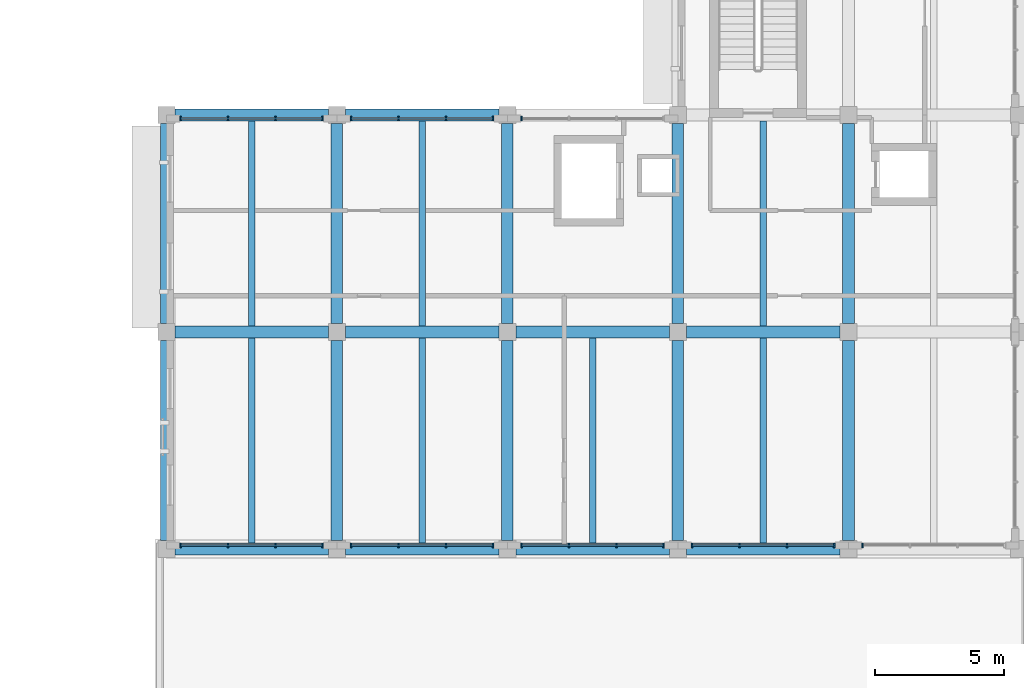
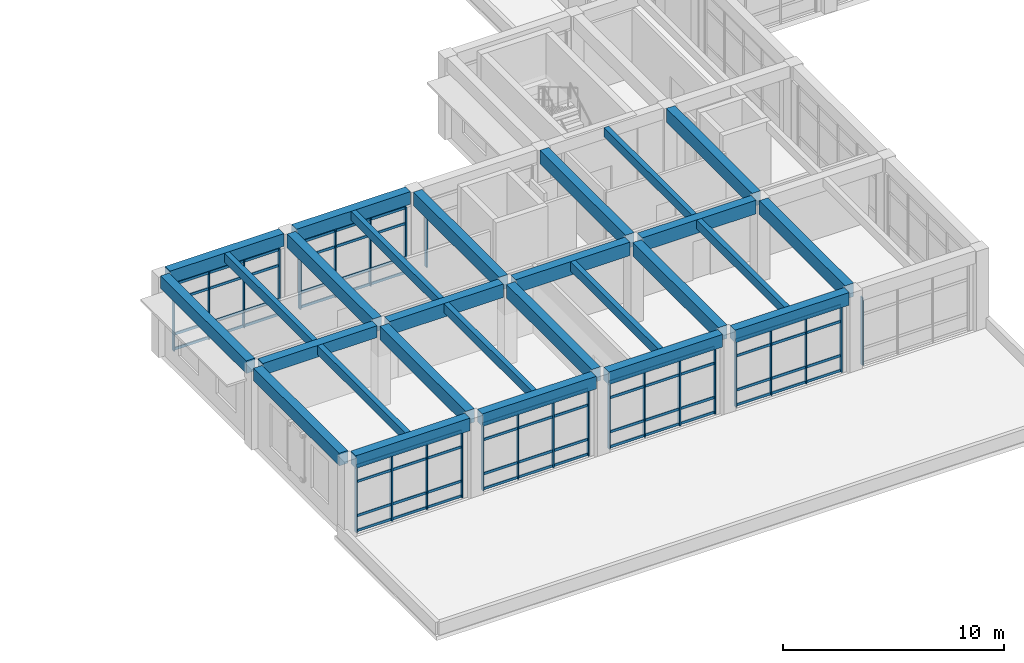
# One storey, part 8 of 50: 50 members, 27 beams, 8 elements without a shape of their own.
"""IFC4 building model written with IfcOpenShell, lengths in metres."""

from ifc_helpers import new_model, si_unit, direction, frame, origin, origin_2d, place, context, subcontext, project, spatial, rectangle, extrude, material, layer, layer_set, material_profile, profile_set, type_object, element, aggregate, save


model = new_model("IFC4")

# Units and contexts
model_context = context("Model", 3, precision=1e-05, world=origin(), true_north=direction((0.0, 1.0)))
body_context = subcontext(model_context, "Body", "Model", "MODEL_VIEW")
ifc_project = project(units=[si_unit("LENGTHUNIT", "METRE"), si_unit("AREAUNIT", "SQUARE_METRE"), si_unit("VOLUMEUNIT", "CUBIC_METRE"), si_unit("PLANEANGLEUNIT", "RADIAN"), si_unit("MASSUNIT", "GRAM", prefix="KILO")], contexts=[model_context])

# Site, building, storey
site_placement = place(None, origin())
site = spatial("IfcSite", under=ifc_project, at=site_placement, CompositionType="ELEMENT")
building_placement = place(site_placement, origin())
building = spatial("IfcBuilding", under=site, at=building_placement, Name="Kolvaren Faculty of Natural Sciences", CompositionType="ELEMENT")
storey_placement = place(building_placement, frame((0.0, 0.0, 15.0)))
storey = spatial("IfcBuildingStorey", under=building, at=storey_placement, Name="L03", CompositionType="ELEMENT", Elevation=15.0)

# Curtain wall, member
ifc_material_1 = material(Name="Thermally broken anodised aluminium framing", Category="aluminium")
ifc_layer = layer(ifc_material_1, 0.179931640625)
ifc_layer_set = layer_set([ifc_layer], Name="Thermally broken anodised aluminium framing")
curtain_wall_type = type_object("IfcCurtainWallType", Name="CommonsCurtainWall_CW02", PredefinedType="NOTDEFINED", material=ifc_layer_set)
curtain_wall_1_placement = place(storey_placement, origin())
curtain_wall_1 = element("IfcCurtainWall", 1, at=curtain_wall_1_placement, inside=storey, type_object=curtain_wall_type, Name="L03 unitised curtain wall CW-02 (CW-L03-156)", PredefinedType="NOTDEFINED")
ifc_material_profile_1 = material_profile(ifc_material_1, rectangle(XDim=0.06005859375, YDim=0.179931640625, at=origin_2d()), Name="ALU MUL 60x180")
ifc_profile_set_1 = profile_set([ifc_material_profile_1], Name="Thermally broken anodised aluminium framing")
member_type_1 = type_object("IfcMemberType", Name="CurtainMullion_60x180", PredefinedType="MULLION", material=ifc_profile_set_1)
member_1_placement = place(storey_placement, frame((132.75, 17.139892578125, 0.0), z_axis=(0.0, 0.0, 1.0), x_axis=(-1.0, 0.0, 0.0)))
member_1 = element("IfcMember", 2, at=member_1_placement, type_object=member_type_1, Name="CW-L03-156 vertical mullion 4", PredefinedType="MULLION", context=body_context, shape_type="SweptSolid", body=[
    extrude(rectangle(XDim=0.06005859375, YDim=0.179931640625, at=origin_2d()), origin(), (0.0, 0.0, 1.0), 3.735107421875),
])
aggregate(curtain_wall_1, [member_1])

# Curtain wall, members
curtain_wall_2_placement = place(storey_placement, origin())
curtain_wall_2 = element("IfcCurtainWall", 3, at=curtain_wall_2_placement, inside=storey, type_object=curtain_wall_type, Name="L03 unitised curtain wall CW-02 (CW-L03-157)", PredefinedType="NOTDEFINED")
member_2_placement = place(storey_placement, frame((131.64990234375, 17.139892578125, 0.0), z_axis=(0.0, 0.0, 1.0), x_axis=(-1.0, 0.0, 0.0)))
member_2 = element("IfcMember", 4, at=member_2_placement, type_object=member_type_1, Name="CW-L03-157 vertical mullion 1", PredefinedType="MULLION", context=body_context, shape_type="SweptSolid", body=[
    extrude(rectangle(XDim=0.06005859375, YDim=0.179931640625, at=origin_2d()), origin(), (0.0, 0.0, 1.0), 3.735107421875),
])
member_3_placement = place(storey_placement, frame((129.816650390625, 17.139892578125, 0.0), z_axis=(0.0, 0.0, 1.0), x_axis=(-1.0, 0.0, 0.0)))
member_3 = element("IfcMember", 5, at=member_3_placement, type_object=member_type_1, Name="CW-L03-157 vertical mullion 2", PredefinedType="MULLION", context=body_context, shape_type="SweptSolid", body=[
    extrude(rectangle(XDim=0.06005859375, YDim=0.179931640625, at=origin_2d()), origin(), (0.0, 0.0, 1.0), 3.735107421875),
])
member_4_placement = place(storey_placement, frame((127.9833984375, 17.139892578125, 0.0), z_axis=(0.0, 0.0, 1.0), x_axis=(-1.0, 0.0, 0.0)))
member_4 = element("IfcMember", 6, at=member_4_placement, type_object=member_type_1, Name="CW-L03-157 vertical mullion 3", PredefinedType="MULLION", context=body_context, shape_type="SweptSolid", body=[
    extrude(rectangle(XDim=0.06005859375, YDim=0.179931640625, at=origin_2d()), origin(), (0.0, 0.0, 1.0), 3.735107421875),
])
member_5_placement = place(storey_placement, frame((126.14990234375, 17.139892578125, 0.0), z_axis=(0.0, 0.0, 1.0), x_axis=(-1.0, 0.0, 0.0)))
member_5 = element("IfcMember", 7, at=member_5_placement, type_object=member_type_1, Name="CW-L03-157 vertical mullion 4", PredefinedType="MULLION", context=body_context, shape_type="SweptSolid", body=[
    extrude(rectangle(XDim=0.06005859375, YDim=0.179931640625, at=origin_2d()), origin(), (0.0, 0.0, 1.0), 3.735107421875),
])

curtain_wall_3_placement = place(storey_placement, origin())
curtain_wall_3 = element("IfcCurtainWall", 8, at=curtain_wall_3_placement, inside=storey, type_object=curtain_wall_type, Name="L03 unitised curtain wall CW-02 (CW-L03-158)", PredefinedType="NOTDEFINED")
member_6_placement = place(storey_placement, frame((125.050048828125, 17.139892578125, 0.0), z_axis=(0.0, 0.0, 1.0), x_axis=(-1.0, 0.0, 0.0)))
member_6 = element("IfcMember", 9, at=member_6_placement, type_object=member_type_1, Name="CW-L03-158 vertical mullion 1", PredefinedType="MULLION", context=body_context, shape_type="SweptSolid", body=[
    extrude(rectangle(XDim=0.06005859375, YDim=0.179931640625, at=origin_2d()), origin(), (0.0, 0.0, 1.0), 3.735107421875),
])
member_7_placement = place(storey_placement, frame((123.216796875, 17.139892578125, 0.0), z_axis=(0.0, 0.0, 1.0), x_axis=(-1.0, 0.0, 0.0)))
member_7 = element("IfcMember", 10, at=member_7_placement, type_object=member_type_1, Name="CW-L03-158 vertical mullion 2", PredefinedType="MULLION", context=body_context, shape_type="SweptSolid", body=[
    extrude(rectangle(XDim=0.06005859375, YDim=0.179931640625, at=origin_2d()), origin(), (0.0, 0.0, 1.0), 3.735107421875),
])
member_8_placement = place(storey_placement, frame((121.38330078125, 17.139892578125, 0.0), z_axis=(0.0, 0.0, 1.0), x_axis=(-1.0, 0.0, 0.0)))
member_8 = element("IfcMember", 11, at=member_8_placement, type_object=member_type_1, Name="CW-L03-158 vertical mullion 3", PredefinedType="MULLION", context=body_context, shape_type="SweptSolid", body=[
    extrude(rectangle(XDim=0.06005859375, YDim=0.179931640625, at=origin_2d()), origin(), (0.0, 0.0, 1.0), 3.735107421875),
])
member_9_placement = place(storey_placement, frame((119.550048828125, 17.139892578125, 0.0), z_axis=(0.0, 0.0, 1.0), x_axis=(-1.0, 0.0, 0.0)))
member_9 = element("IfcMember", 12, at=member_9_placement, type_object=member_type_1, Name="CW-L03-158 vertical mullion 4", PredefinedType="MULLION", context=body_context, shape_type="SweptSolid", body=[
    extrude(rectangle(XDim=0.06005859375, YDim=0.179931640625, at=origin_2d()), origin(), (0.0, 0.0, 1.0), 3.735107421875),
])

curtain_wall_4_placement = place(storey_placement, origin())
curtain_wall_4 = element("IfcCurtainWall", 13, at=curtain_wall_4_placement, inside=storey, type_object=curtain_wall_type, Name="L03 unitised curtain wall CW-02 (CW-L03-159)", PredefinedType="NOTDEFINED")
member_10_placement = place(storey_placement, frame((118.449951171875, 17.139892578125, 0.0), z_axis=(0.0, 0.0, 1.0), x_axis=(-1.0, 0.0, 0.0)))
member_10 = element("IfcMember", 14, at=member_10_placement, type_object=member_type_1, Name="CW-L03-159 vertical mullion 1", PredefinedType="MULLION", context=body_context, shape_type="SweptSolid", body=[
    extrude(rectangle(XDim=0.06005859375, YDim=0.179931640625, at=origin_2d()), origin(), (0.0, 0.0, 1.0), 3.735107421875),
])
member_11_placement = place(storey_placement, frame((116.61669921875, 17.139892578125, 0.0), z_axis=(0.0, 0.0, 1.0), x_axis=(-1.0, 0.0, 0.0)))
member_11 = element("IfcMember", 15, at=member_11_placement, type_object=member_type_1, Name="CW-L03-159 vertical mullion 2", PredefinedType="MULLION", context=body_context, shape_type="SweptSolid", body=[
    extrude(rectangle(XDim=0.06005859375, YDim=0.179931640625, at=origin_2d()), origin(), (0.0, 0.0, 1.0), 3.735107421875),
])
member_12_placement = place(storey_placement, frame((114.783203125, 17.139892578125, 0.0), z_axis=(0.0, 0.0, 1.0), x_axis=(-1.0, 0.0, 0.0)))
member_12 = element("IfcMember", 16, at=member_12_placement, type_object=member_type_1, Name="CW-L03-159 vertical mullion 3", PredefinedType="MULLION", context=body_context, shape_type="SweptSolid", body=[
    extrude(rectangle(XDim=0.06005859375, YDim=0.179931640625, at=origin_2d()), origin(), (0.0, 0.0, 1.0), 3.735107421875),
])
member_13_placement = place(storey_placement, frame((112.949951171875, 17.139892578125, 0.0), z_axis=(0.0, 0.0, 1.0), x_axis=(-1.0, 0.0, 0.0)))
member_13 = element("IfcMember", 17, at=member_13_placement, type_object=member_type_1, Name="CW-L03-159 vertical mullion 4", PredefinedType="MULLION", context=body_context, shape_type="SweptSolid", body=[
    extrude(rectangle(XDim=0.06005859375, YDim=0.179931640625, at=origin_2d()), origin(), (0.0, 0.0, 1.0), 3.735107421875),
])

curtain_wall_5_placement = place(storey_placement, origin())
curtain_wall_5 = element("IfcCurtainWall", 18, at=curtain_wall_5_placement, inside=storey, type_object=curtain_wall_type, Name="L03 unitised curtain wall CW-02 (CW-L03-160)", PredefinedType="NOTDEFINED")
member_14_placement = place(storey_placement, frame((111.85009765625, 17.139892578125, 0.0), z_axis=(0.0, 0.0, 1.0), x_axis=(-1.0, 0.0, 0.0)))
member_14 = element("IfcMember", 19, at=member_14_placement, type_object=member_type_1, Name="CW-L03-160 vertical mullion 1", PredefinedType="MULLION", context=body_context, shape_type="SweptSolid", body=[
    extrude(rectangle(XDim=0.06005859375, YDim=0.179931640625, at=origin_2d()), origin(), (0.0, 0.0, 1.0), 3.735107421875),
])
member_15_placement = place(storey_placement, frame((110.0166015625, 17.139892578125, 0.0), z_axis=(0.0, 0.0, 1.0), x_axis=(-1.0, 0.0, 0.0)))
member_15 = element("IfcMember", 20, at=member_15_placement, type_object=member_type_1, Name="CW-L03-160 vertical mullion 2", PredefinedType="MULLION", context=body_context, shape_type="SweptSolid", body=[
    extrude(rectangle(XDim=0.06005859375, YDim=0.179931640625, at=origin_2d()), origin(), (0.0, 0.0, 1.0), 3.735107421875),
])
member_16_placement = place(storey_placement, frame((108.183349609375, 17.139892578125, 0.0), z_axis=(0.0, 0.0, 1.0), x_axis=(-1.0, 0.0, 0.0)))
member_16 = element("IfcMember", 21, at=member_16_placement, type_object=member_type_1, Name="CW-L03-160 vertical mullion 3", PredefinedType="MULLION", context=body_context, shape_type="SweptSolid", body=[
    extrude(rectangle(XDim=0.06005859375, YDim=0.179931640625, at=origin_2d()), origin(), (0.0, 0.0, 1.0), 3.735107421875),
])
member_17_placement = place(storey_placement, frame((106.35009765625, 17.139892578125, 0.0), z_axis=(0.0, 0.0, 1.0), x_axis=(-1.0, 0.0, 0.0)))
member_17 = element("IfcMember", 22, at=member_17_placement, type_object=member_type_1, Name="CW-L03-160 vertical mullion 4", PredefinedType="MULLION", context=body_context, shape_type="SweptSolid", body=[
    extrude(rectangle(XDim=0.06005859375, YDim=0.179931640625, at=origin_2d()), origin(), (0.0, 0.0, 1.0), 3.735107421875),
])

curtain_wall_6_placement = place(storey_placement, origin())
curtain_wall_6 = element("IfcCurtainWall", 23, at=curtain_wall_6_placement, inside=storey, type_object=curtain_wall_type, Name="L03 unitised curtain wall CW-02 (CW-L03-161)", PredefinedType="NOTDEFINED")
member_18_placement = place(storey_placement, frame((106.35009765625, 33.659912109375, 0.0), z_axis=(0.0, 0.0, 1.0), x_axis=(1.0, 0.0, 0.0)))
member_18 = element("IfcMember", 24, at=member_18_placement, type_object=member_type_1, Name="CW-L03-161 vertical mullion 1", PredefinedType="MULLION", context=body_context, shape_type="SweptSolid", body=[
    extrude(rectangle(XDim=0.06005859375, YDim=0.179931640625, at=origin_2d()), origin(), (0.0, 0.0, 1.0), 3.735107421875),
])
member_19_placement = place(storey_placement, frame((108.183349609375, 33.659912109375, 0.0), z_axis=(0.0, 0.0, 1.0), x_axis=(1.0, 0.0, 0.0)))
member_19 = element("IfcMember", 25, at=member_19_placement, type_object=member_type_1, Name="CW-L03-161 vertical mullion 2", PredefinedType="MULLION", context=body_context, shape_type="SweptSolid", body=[
    extrude(rectangle(XDim=0.06005859375, YDim=0.179931640625, at=origin_2d()), origin(), (0.0, 0.0, 1.0), 3.735107421875),
])
member_20_placement = place(storey_placement, frame((110.0166015625, 33.659912109375, 0.0), z_axis=(0.0, 0.0, 1.0), x_axis=(1.0, 0.0, 0.0)))
member_20 = element("IfcMember", 26, at=member_20_placement, type_object=member_type_1, Name="CW-L03-161 vertical mullion 3", PredefinedType="MULLION", context=body_context, shape_type="SweptSolid", body=[
    extrude(rectangle(XDim=0.06005859375, YDim=0.179931640625, at=origin_2d()), origin(), (0.0, 0.0, 1.0), 3.735107421875),
])
member_21_placement = place(storey_placement, frame((111.85009765625, 33.659912109375, 0.0), z_axis=(0.0, 0.0, 1.0), x_axis=(1.0, 0.0, 0.0)))
member_21 = element("IfcMember", 27, at=member_21_placement, type_object=member_type_1, Name="CW-L03-161 vertical mullion 4", PredefinedType="MULLION", context=body_context, shape_type="SweptSolid", body=[
    extrude(rectangle(XDim=0.06005859375, YDim=0.179931640625, at=origin_2d()), origin(), (0.0, 0.0, 1.0), 3.735107421875),
])

curtain_wall_7_placement = place(storey_placement, origin())
curtain_wall_7 = element("IfcCurtainWall", 28, at=curtain_wall_7_placement, inside=storey, type_object=curtain_wall_type, Name="L03 unitised curtain wall CW-02 (CW-L03-162)", PredefinedType="NOTDEFINED")
member_22_placement = place(storey_placement, frame((112.949951171875, 33.659912109375, 0.0), z_axis=(0.0, 0.0, 1.0), x_axis=(1.0, 0.0, 0.0)))
member_22 = element("IfcMember", 29, at=member_22_placement, type_object=member_type_1, Name="CW-L03-162 vertical mullion 1", PredefinedType="MULLION", context=body_context, shape_type="SweptSolid", body=[
    extrude(rectangle(XDim=0.06005859375, YDim=0.179931640625, at=origin_2d()), origin(), (0.0, 0.0, 1.0), 3.735107421875),
])
member_23_placement = place(storey_placement, frame((114.783203125, 33.659912109375, 0.0), z_axis=(0.0, 0.0, 1.0), x_axis=(1.0, 0.0, 0.0)))
member_23 = element("IfcMember", 30, at=member_23_placement, type_object=member_type_1, Name="CW-L03-162 vertical mullion 2", PredefinedType="MULLION", context=body_context, shape_type="SweptSolid", body=[
    extrude(rectangle(XDim=0.06005859375, YDim=0.179931640625, at=origin_2d()), origin(), (0.0, 0.0, 1.0), 3.735107421875),
])
member_24_placement = place(storey_placement, frame((116.61669921875, 33.659912109375, 0.0), z_axis=(0.0, 0.0, 1.0), x_axis=(1.0, 0.0, 0.0)))
member_24 = element("IfcMember", 31, at=member_24_placement, type_object=member_type_1, Name="CW-L03-162 vertical mullion 3", PredefinedType="MULLION", context=body_context, shape_type="SweptSolid", body=[
    extrude(rectangle(XDim=0.06005859375, YDim=0.179931640625, at=origin_2d()), origin(), (0.0, 0.0, 1.0), 3.735107421875),
])
member_25_placement = place(storey_placement, frame((118.449951171875, 33.659912109375, 0.0), z_axis=(0.0, 0.0, 1.0), x_axis=(1.0, 0.0, 0.0)))
member_25 = element("IfcMember", 32, at=member_25_placement, type_object=member_type_1, Name="CW-L03-162 vertical mullion 4", PredefinedType="MULLION", context=body_context, shape_type="SweptSolid", body=[
    extrude(rectangle(XDim=0.06005859375, YDim=0.179931640625, at=origin_2d()), origin(), (0.0, 0.0, 1.0), 3.735107421875),
])

# Curtain wall, member
curtain_wall_8_placement = place(storey_placement, origin())
curtain_wall_8 = element("IfcCurtainWall", 33, at=curtain_wall_8_placement, inside=storey, type_object=curtain_wall_type, Name="L03 unitised curtain wall CW-02 (CW-L03-163)", PredefinedType="NOTDEFINED")
member_26_placement = place(storey_placement, frame((119.550048828125, 33.659912109375, 0.0), z_axis=(0.0, 0.0, 1.0), x_axis=(1.0, 0.0, 0.0)))
member_26 = element("IfcMember", 34, at=member_26_placement, type_object=member_type_1, Name="CW-L03-163 vertical mullion 1", PredefinedType="MULLION", context=body_context, shape_type="SweptSolid", body=[
    extrude(rectangle(XDim=0.06005859375, YDim=0.179931640625, at=origin_2d()), origin(), (0.0, 0.0, 1.0), 3.735107421875),
])
aggregate(curtain_wall_8, [member_26])

# Member
ifc_material_profile_2 = material_profile(ifc_material_1, rectangle(XDim=0.06005859375, YDim=0.139892578125, at=origin_2d()), Name="ALU TRN 60x140")
ifc_profile_set_2 = profile_set([ifc_material_profile_2], Name="Thermally broken anodised aluminium framing")
member_type_2 = type_object("IfcMemberType", Name="CurtainTransom_60x140", PredefinedType="USERDEFINED", material=ifc_profile_set_2)
member_27_placement = place(storey_placement, frame((131.64990234375, 17.139892578125, 0.080078125), z_axis=(-1.0, 0.0, 0.0), x_axis=(0.0, -1.0, 0.0)))
member_27 = element("IfcMember", 35, at=member_27_placement, type_object=member_type_2, Name="CW-L03-157 horizontal transom 1", ObjectType="TRANSOM", PredefinedType="USERDEFINED", context=body_context, shape_type="SweptSolid", body=[
    extrude(rectangle(XDim=0.06005859375, YDim=0.139892578125, at=origin_2d()), origin(), (0.0, 0.0, 1.0), 5.5),
])

member_28_placement = place(storey_placement, frame((131.64990234375, 17.139892578125, 0.89990234375), z_axis=(-1.0, 0.0, 0.0), x_axis=(0.0, -1.0, 0.0)))
member_28 = element("IfcMember", 36, at=member_28_placement, type_object=member_type_2, Name="CW-L03-157 horizontal transom 2", ObjectType="TRANSOM", PredefinedType="USERDEFINED", context=body_context, shape_type="SweptSolid", body=[
    extrude(rectangle(XDim=0.06005859375, YDim=0.139892578125, at=origin_2d()), origin(), (0.0, 0.0, 1.0), 5.5),
])

member_29_placement = place(storey_placement, frame((131.64990234375, 17.139892578125, 2.784912109375), z_axis=(-1.0, 0.0, 0.0), x_axis=(0.0, -1.0, 0.0)))
member_29 = element("IfcMember", 37, at=member_29_placement, type_object=member_type_2, Name="CW-L03-157 horizontal transom 3", ObjectType="TRANSOM", PredefinedType="USERDEFINED", context=body_context, shape_type="SweptSolid", body=[
    extrude(rectangle(XDim=0.06005859375, YDim=0.139892578125, at=origin_2d()), origin(), (0.0, 0.0, 1.0), 5.5),
])

member_30_placement = place(storey_placement, frame((131.64990234375, 17.139892578125, 3.655029296875), z_axis=(-1.0, 0.0, 0.0), x_axis=(0.0, -1.0, 0.0)))
member_30 = element("IfcMember", 38, at=member_30_placement, type_object=member_type_2, Name="CW-L03-157 horizontal transom 4", ObjectType="TRANSOM", PredefinedType="USERDEFINED", context=body_context, shape_type="SweptSolid", body=[
    extrude(rectangle(XDim=0.06005859375, YDim=0.139892578125, at=origin_2d()), origin(), (0.0, 0.0, 1.0), 5.5),
])

aggregate(curtain_wall_2, [member_2, member_3, member_4, member_5, member_27, member_28, member_29, member_30])

member_31_placement = place(storey_placement, frame((125.050048828125, 17.139892578125, 0.080078125), z_axis=(-1.0, 0.0, 0.0), x_axis=(0.0, -1.0, 0.0)))
member_31 = element("IfcMember", 39, at=member_31_placement, type_object=member_type_2, Name="CW-L03-158 horizontal transom 1", ObjectType="TRANSOM", PredefinedType="USERDEFINED", context=body_context, shape_type="SweptSolid", body=[
    extrude(rectangle(XDim=0.06005859375, YDim=0.139892578125, at=origin_2d()), origin(), (0.0, 0.0, 1.0), 5.5),
])

member_32_placement = place(storey_placement, frame((125.050048828125, 17.139892578125, 0.89990234375), z_axis=(-1.0, 0.0, 0.0), x_axis=(0.0, -1.0, 0.0)))
member_32 = element("IfcMember", 40, at=member_32_placement, type_object=member_type_2, Name="CW-L03-158 horizontal transom 2", ObjectType="TRANSOM", PredefinedType="USERDEFINED", context=body_context, shape_type="SweptSolid", body=[
    extrude(rectangle(XDim=0.06005859375, YDim=0.139892578125, at=origin_2d()), origin(), (0.0, 0.0, 1.0), 5.5),
])

member_33_placement = place(storey_placement, frame((125.050048828125, 17.139892578125, 2.784912109375), z_axis=(-1.0, 0.0, 0.0), x_axis=(0.0, -1.0, 0.0)))
member_33 = element("IfcMember", 41, at=member_33_placement, type_object=member_type_2, Name="CW-L03-158 horizontal transom 3", ObjectType="TRANSOM", PredefinedType="USERDEFINED", context=body_context, shape_type="SweptSolid", body=[
    extrude(rectangle(XDim=0.06005859375, YDim=0.139892578125, at=origin_2d()), origin(), (0.0, 0.0, 1.0), 5.5),
])

member_34_placement = place(storey_placement, frame((125.050048828125, 17.139892578125, 3.655029296875), z_axis=(-1.0, 0.0, 0.0), x_axis=(0.0, -1.0, 0.0)))
member_34 = element("IfcMember", 42, at=member_34_placement, type_object=member_type_2, Name="CW-L03-158 horizontal transom 4", ObjectType="TRANSOM", PredefinedType="USERDEFINED", context=body_context, shape_type="SweptSolid", body=[
    extrude(rectangle(XDim=0.06005859375, YDim=0.139892578125, at=origin_2d()), origin(), (0.0, 0.0, 1.0), 5.5),
])

aggregate(curtain_wall_3, [member_6, member_7, member_8, member_9, member_31, member_32, member_33, member_34])

member_35_placement = place(storey_placement, frame((118.449951171875, 17.139892578125, 0.080078125), z_axis=(-1.0, 0.0, 0.0), x_axis=(0.0, -1.0, 0.0)))
member_35 = element("IfcMember", 43, at=member_35_placement, type_object=member_type_2, Name="CW-L03-159 horizontal transom 1", ObjectType="TRANSOM", PredefinedType="USERDEFINED", context=body_context, shape_type="SweptSolid", body=[
    extrude(rectangle(XDim=0.06005859375, YDim=0.139892578125, at=origin_2d()), origin(), (0.0, 0.0, 1.0), 5.5),
])

member_36_placement = place(storey_placement, frame((118.449951171875, 17.139892578125, 0.89990234375), z_axis=(-1.0, 0.0, 0.0), x_axis=(0.0, -1.0, 0.0)))
member_36 = element("IfcMember", 44, at=member_36_placement, type_object=member_type_2, Name="CW-L03-159 horizontal transom 2", ObjectType="TRANSOM", PredefinedType="USERDEFINED", context=body_context, shape_type="SweptSolid", body=[
    extrude(rectangle(XDim=0.06005859375, YDim=0.139892578125, at=origin_2d()), origin(), (0.0, 0.0, 1.0), 5.5),
])

member_37_placement = place(storey_placement, frame((118.449951171875, 17.139892578125, 2.784912109375), z_axis=(-1.0, 0.0, 0.0), x_axis=(0.0, -1.0, 0.0)))
member_37 = element("IfcMember", 45, at=member_37_placement, type_object=member_type_2, Name="CW-L03-159 horizontal transom 3", ObjectType="TRANSOM", PredefinedType="USERDEFINED", context=body_context, shape_type="SweptSolid", body=[
    extrude(rectangle(XDim=0.06005859375, YDim=0.139892578125, at=origin_2d()), origin(), (0.0, 0.0, 1.0), 5.5),
])

member_38_placement = place(storey_placement, frame((118.449951171875, 17.139892578125, 3.655029296875), z_axis=(-1.0, 0.0, 0.0), x_axis=(0.0, -1.0, 0.0)))
member_38 = element("IfcMember", 46, at=member_38_placement, type_object=member_type_2, Name="CW-L03-159 horizontal transom 4", ObjectType="TRANSOM", PredefinedType="USERDEFINED", context=body_context, shape_type="SweptSolid", body=[
    extrude(rectangle(XDim=0.06005859375, YDim=0.139892578125, at=origin_2d()), origin(), (0.0, 0.0, 1.0), 5.5),
])

aggregate(curtain_wall_4, [member_10, member_11, member_12, member_13, member_35, member_36, member_37, member_38])

member_39_placement = place(storey_placement, frame((111.85009765625, 17.139892578125, 0.080078125), z_axis=(-1.0, 0.0, 0.0), x_axis=(0.0, -1.0, 0.0)))
member_39 = element("IfcMember", 47, at=member_39_placement, type_object=member_type_2, Name="CW-L03-160 horizontal transom 1", ObjectType="TRANSOM", PredefinedType="USERDEFINED", context=body_context, shape_type="SweptSolid", body=[
    extrude(rectangle(XDim=0.06005859375, YDim=0.139892578125, at=origin_2d()), origin(), (0.0, 0.0, 1.0), 5.5),
])

member_40_placement = place(storey_placement, frame((111.85009765625, 17.139892578125, 0.89990234375), z_axis=(-1.0, 0.0, 0.0), x_axis=(0.0, -1.0, 0.0)))
member_40 = element("IfcMember", 48, at=member_40_placement, type_object=member_type_2, Name="CW-L03-160 horizontal transom 2", ObjectType="TRANSOM", PredefinedType="USERDEFINED", context=body_context, shape_type="SweptSolid", body=[
    extrude(rectangle(XDim=0.06005859375, YDim=0.139892578125, at=origin_2d()), origin(), (0.0, 0.0, 1.0), 5.5),
])

member_41_placement = place(storey_placement, frame((111.85009765625, 17.139892578125, 2.784912109375), z_axis=(-1.0, 0.0, 0.0), x_axis=(0.0, -1.0, 0.0)))
member_41 = element("IfcMember", 49, at=member_41_placement, type_object=member_type_2, Name="CW-L03-160 horizontal transom 3", ObjectType="TRANSOM", PredefinedType="USERDEFINED", context=body_context, shape_type="SweptSolid", body=[
    extrude(rectangle(XDim=0.06005859375, YDim=0.139892578125, at=origin_2d()), origin(), (0.0, 0.0, 1.0), 5.5),
])

member_42_placement = place(storey_placement, frame((111.85009765625, 17.139892578125, 3.655029296875), z_axis=(-1.0, 0.0, 0.0), x_axis=(0.0, -1.0, 0.0)))
member_42 = element("IfcMember", 50, at=member_42_placement, type_object=member_type_2, Name="CW-L03-160 horizontal transom 4", ObjectType="TRANSOM", PredefinedType="USERDEFINED", context=body_context, shape_type="SweptSolid", body=[
    extrude(rectangle(XDim=0.06005859375, YDim=0.139892578125, at=origin_2d()), origin(), (0.0, 0.0, 1.0), 5.5),
])

aggregate(curtain_wall_5, [member_14, member_15, member_16, member_17, member_39, member_40, member_41, member_42])

member_43_placement = place(storey_placement, frame((106.35009765625, 33.659912109375, 0.080078125), z_axis=(1.0, 0.0, 0.0), x_axis=(0.0, 1.0, 0.0)))
member_43 = element("IfcMember", 51, at=member_43_placement, type_object=member_type_2, Name="CW-L03-161 horizontal transom 1", ObjectType="TRANSOM", PredefinedType="USERDEFINED", context=body_context, shape_type="SweptSolid", body=[
    extrude(rectangle(XDim=0.06005859375, YDim=0.139892578125, at=origin_2d()), origin(), (0.0, 0.0, 1.0), 5.5),
])

member_44_placement = place(storey_placement, frame((106.35009765625, 33.659912109375, 0.89990234375), z_axis=(1.0, 0.0, 0.0), x_axis=(0.0, 1.0, 0.0)))
member_44 = element("IfcMember", 52, at=member_44_placement, type_object=member_type_2, Name="CW-L03-161 horizontal transom 2", ObjectType="TRANSOM", PredefinedType="USERDEFINED", context=body_context, shape_type="SweptSolid", body=[
    extrude(rectangle(XDim=0.06005859375, YDim=0.139892578125, at=origin_2d()), origin(), (0.0, 0.0, 1.0), 5.5),
])

member_45_placement = place(storey_placement, frame((106.35009765625, 33.659912109375, 2.784912109375), z_axis=(1.0, 0.0, 0.0), x_axis=(0.0, 1.0, 0.0)))
member_45 = element("IfcMember", 53, at=member_45_placement, type_object=member_type_2, Name="CW-L03-161 horizontal transom 3", ObjectType="TRANSOM", PredefinedType="USERDEFINED", context=body_context, shape_type="SweptSolid", body=[
    extrude(rectangle(XDim=0.06005859375, YDim=0.139892578125, at=origin_2d()), origin(), (0.0, 0.0, 1.0), 5.5),
])

member_46_placement = place(storey_placement, frame((106.35009765625, 33.659912109375, 3.655029296875), z_axis=(1.0, 0.0, 0.0), x_axis=(0.0, 1.0, 0.0)))
member_46 = element("IfcMember", 54, at=member_46_placement, type_object=member_type_2, Name="CW-L03-161 horizontal transom 4", ObjectType="TRANSOM", PredefinedType="USERDEFINED", context=body_context, shape_type="SweptSolid", body=[
    extrude(rectangle(XDim=0.06005859375, YDim=0.139892578125, at=origin_2d()), origin(), (0.0, 0.0, 1.0), 5.5),
])

aggregate(curtain_wall_6, [member_18, member_19, member_20, member_21, member_43, member_44, member_45, member_46])

member_47_placement = place(storey_placement, frame((112.949951171875, 33.659912109375, 0.080078125), z_axis=(1.0, 0.0, 0.0), x_axis=(0.0, 1.0, 0.0)))
member_47 = element("IfcMember", 55, at=member_47_placement, type_object=member_type_2, Name="CW-L03-162 horizontal transom 1", ObjectType="TRANSOM", PredefinedType="USERDEFINED", context=body_context, shape_type="SweptSolid", body=[
    extrude(rectangle(XDim=0.06005859375, YDim=0.139892578125, at=origin_2d()), origin(), (0.0, 0.0, 1.0), 5.5),
])

member_48_placement = place(storey_placement, frame((112.949951171875, 33.659912109375, 0.89990234375), z_axis=(1.0, 0.0, 0.0), x_axis=(0.0, 1.0, 0.0)))
member_48 = element("IfcMember", 56, at=member_48_placement, type_object=member_type_2, Name="CW-L03-162 horizontal transom 2", ObjectType="TRANSOM", PredefinedType="USERDEFINED", context=body_context, shape_type="SweptSolid", body=[
    extrude(rectangle(XDim=0.06005859375, YDim=0.139892578125, at=origin_2d()), origin(), (0.0, 0.0, 1.0), 5.5),
])

member_49_placement = place(storey_placement, frame((112.949951171875, 33.659912109375, 2.784912109375), z_axis=(1.0, 0.0, 0.0), x_axis=(0.0, 1.0, 0.0)))
member_49 = element("IfcMember", 57, at=member_49_placement, type_object=member_type_2, Name="CW-L03-162 horizontal transom 3", ObjectType="TRANSOM", PredefinedType="USERDEFINED", context=body_context, shape_type="SweptSolid", body=[
    extrude(rectangle(XDim=0.06005859375, YDim=0.139892578125, at=origin_2d()), origin(), (0.0, 0.0, 1.0), 5.5),
])

member_50_placement = place(storey_placement, frame((112.949951171875, 33.659912109375, 3.655029296875), z_axis=(1.0, 0.0, 0.0), x_axis=(0.0, 1.0, 0.0)))
member_50 = element("IfcMember", 58, at=member_50_placement, type_object=member_type_2, Name="CW-L03-162 horizontal transom 4", ObjectType="TRANSOM", PredefinedType="USERDEFINED", context=body_context, shape_type="SweptSolid", body=[
    extrude(rectangle(XDim=0.06005859375, YDim=0.139892578125, at=origin_2d()), origin(), (0.0, 0.0, 1.0), 5.5),
])

aggregate(curtain_wall_7, [member_22, member_23, member_24, member_25, member_47, member_48, member_49, member_50])

# Beams
ifc_material_2 = material(Name="Concrete C35/45", Category="concrete")
ifc_material_profile_3 = material_profile(ifc_material_2, rectangle(XDim=0.449951171875, YDim=0.64990234375, at=origin_2d()), Name="RC BM 450x650")
ifc_profile_set_3 = profile_set([ifc_material_profile_3], Name="Concrete C35/45")
beam_type_1 = type_object("IfcBeamType", Name="GridBeam_450x650", PredefinedType="BEAM", material=ifc_profile_set_3)
beam_placement = place(storey_placement, frame((106.125, 25.39990234375, 4.175048828125), z_axis=(1.0, 0.0, 0.0), x_axis=(0.0, 1.0, 0.0)))
element("IfcBeam", 59, at=beam_placement, inside=storey, type_object=beam_type_1, Name="L03 beam BM-65 on grid D", PredefinedType="BEAM", context=body_context, shape_type="SweptSolid", body=[
    extrude(rectangle(XDim=0.449951171875, YDim=0.64990234375, at=origin_2d()), origin(), (0.0, 0.0, 1.0), 5.949951171875),
])
ifc_material_profile_4 = material_profile(ifc_material_2, rectangle(XDim=0.260009765625, YDim=0.5, at=origin_2d()), Name="RC JST 260x500")
ifc_profile_set_4 = profile_set([ifc_material_profile_4], Name="Concrete C35/45")
beam_type_2 = type_object("IfcBeamType", Name="LabRibJoist_260x500", PredefinedType="JOIST", material=ifc_profile_set_4)
for number, where, z_axis, x_axis, name in (
    (60, (109.10009765625, 17.22509765625, 4.25), (0.0, 1.0, 0.0), (-1.0, 0.0, 0.0), "L03 ribbed laboratory slab joist JS-50"),
    (61, (109.10009765625, 25.625, 4.25), (0.0, 1.0, 0.0), (-1.0, 0.0, 0.0), "L03 ribbed laboratory slab joist JS-50"),
    (62, (115.699951171875, 17.22509765625, 4.25), (0.0, 1.0, 0.0), (-1.0, 0.0, 0.0), "L03 ribbed laboratory slab joist JS-50"),
    (63, (115.699951171875, 25.625, 4.25), (0.0, 1.0, 0.0), (-1.0, 0.0, 0.0), "L03 ribbed laboratory slab joist JS-50"),
    (64, (122.300048828125, 17.22509765625, 4.25), (0.0, 1.0, 0.0), (-1.0, 0.0, 0.0), "L03 ribbed laboratory slab joist JS-50"),
    (65, (128.89990234375, 17.22509765625, 4.25), (0.0, 1.0, 0.0), (-1.0, 0.0, 0.0), "L03 ribbed laboratory slab joist JS-50"),
    (66, (128.89990234375, 25.625, 4.25), (0.0, 1.0, 0.0), (-1.0, 0.0, 0.0), "L03 ribbed laboratory slab joist JS-50"),
):
    element("IfcBeam", number, at=place(storey_placement, frame(where, z_axis=z_axis, x_axis=x_axis)), inside=storey, type_object=beam_type_2, Name=name, PredefinedType="JOIST", context=body_context, shape_type="SweptSolid", body=[
        extrude(rectangle(XDim=0.260009765625, YDim=0.5, at=origin_2d()), origin(), (0.0, 0.0, 1.0), 7.949951171875),
    ])
ifc_material_profile_5 = material_profile(ifc_material_2, rectangle(XDim=0.449951171875, YDim=0.699951171875, at=origin_2d()), Name="RC SP 450x700")
ifc_profile_set_5 = profile_set([ifc_material_profile_5], Name="Concrete C35/45")
beam_type_3 = type_object("IfcBeamType", Name="PerimeterSpandrel_450x700", PredefinedType="SPANDREL", material=ifc_profile_set_5)
for number, where, z_axis, x_axis, name in (
    (67, (106.125, 17.0, 4.14990234375), (1.0, 0.0, 0.0), (0.0, 1.0, 0.0), "L03 spandrel SP-70 on grid C"),
    (68, (112.72509765625, 17.0, 4.14990234375), (1.0, 0.0, 0.0), (0.0, 1.0, 0.0), "L03 spandrel SP-70 on grid C"),
    (69, (119.324951171875, 17.0, 4.14990234375), (1.0, 0.0, 0.0), (0.0, 1.0, 0.0), "L03 spandrel SP-70 on grid C"),
    (70, (125.925048828125, 17.0, 4.14990234375), (1.0, 0.0, 0.0), (0.0, 1.0, 0.0), "L03 spandrel SP-70 on grid C"),
    (71, (106.125, 33.800048828125, 4.14990234375), (1.0, 0.0, 0.0), (0.0, 1.0, 0.0), "L03 spandrel SP-70 on grid E"),
    (72, (112.72509765625, 33.800048828125, 4.14990234375), (1.0, 0.0, 0.0), (0.0, 1.0, 0.0), "L03 spandrel SP-70 on grid E"),
):
    element("IfcBeam", number, at=place(storey_placement, frame(where, z_axis=z_axis, x_axis=x_axis)), inside=storey, type_object=beam_type_3, Name=name, PredefinedType="SPANDREL", context=body_context, shape_type="SweptSolid", body=[
        extrude(rectangle(XDim=0.449951171875, YDim=0.699951171875, at=origin_2d()), origin(), (0.0, 0.0, 1.0), 5.949951171875),
    ])
for number, where, z_axis, x_axis, name in (
    (73, (105.800048828125, 17.324951171875, 4.14990234375), (0.0, 1.0, 0.0), (-1.0, 0.0, 0.0), "L03 girder SP-70 on grid 17"),
    (74, (105.800048828125, 25.72509765625, 4.14990234375), (0.0, 1.0, 0.0), (-1.0, 0.0, 0.0), "L03 girder SP-70 on grid 17"),
):
    element("IfcBeam", number, at=place(storey_placement, frame(where, z_axis=z_axis, x_axis=x_axis)), inside=storey, type_object=beam_type_3, Name=name, PredefinedType="SPANDREL", context=body_context, shape_type="SweptSolid", body=[
        extrude(rectangle(XDim=0.449951171875, YDim=0.699951171875, at=origin_2d()), origin(), (0.0, 0.0, 1.0), 7.75),
    ])
ifc_material_profile_6 = material_profile(ifc_material_2, rectangle(XDim=0.449951171875, YDim=0.75, at=origin_2d()), Name="RC BM 450x750")
ifc_profile_set_6 = profile_set([ifc_material_profile_6], Name="Concrete C35/45")
beam_type_4 = type_object("IfcBeamType", Name="PrimaryGirder_450x750", PredefinedType="BEAM", material=ifc_profile_set_6)
for number, where, z_axis, x_axis, name in (
    (75, (112.72509765625, 25.39990234375, 4.125), (1.0, 0.0, 0.0), (0.0, 1.0, 0.0), "L03 beam BG-75 on grid D"),
    (76, (119.324951171875, 25.39990234375, 4.125), (1.0, 0.0, 0.0), (0.0, 1.0, 0.0), "L03 beam BG-75 on grid D"),
    (77, (125.925048828125, 25.39990234375, 4.125), (1.0, 0.0, 0.0), (0.0, 1.0, 0.0), "L03 beam BG-75 on grid D"),
):
    element("IfcBeam", number, at=place(storey_placement, frame(where, z_axis=z_axis, x_axis=x_axis)), inside=storey, type_object=beam_type_4, Name=name, PredefinedType="BEAM", context=body_context, shape_type="SweptSolid", body=[
        extrude(rectangle(XDim=0.449951171875, YDim=0.75, at=origin_2d()), origin(), (0.0, 0.0, 1.0), 5.949951171875),
    ])
for number, where, z_axis, x_axis, name in (
    (78, (112.39990234375, 17.324951171875, 4.125), (0.0, 1.0, 0.0), (-1.0, 0.0, 0.0), "L03 girder BG-75 on grid 18"),
    (79, (112.39990234375, 25.72509765625, 4.125), (0.0, 1.0, 0.0), (-1.0, 0.0, 0.0), "L03 girder BG-75 on grid 18"),
    (80, (119.0, 17.324951171875, 4.125), (0.0, 1.0, 0.0), (-1.0, 0.0, 0.0), "L03 girder BG-75 on grid 19"),
    (81, (119.0, 25.72509765625, 4.125), (0.0, 1.0, 0.0), (-1.0, 0.0, 0.0), "L03 girder BG-75 on grid 19"),
    (82, (125.60009765625, 17.324951171875, 4.125), (0.0, 1.0, 0.0), (-1.0, 0.0, 0.0), "L03 girder BG-75 on grid 20"),
    (83, (125.60009765625, 25.72509765625, 4.125), (0.0, 1.0, 0.0), (-1.0, 0.0, 0.0), "L03 girder BG-75 on grid 20"),
    (84, (132.199951171875, 17.324951171875, 4.125), (0.0, 1.0, 0.0), (-1.0, 0.0, 0.0), "L03 girder BG-75 on grid 21"),
    (85, (132.199951171875, 25.72509765625, 4.125), (0.0, 1.0, 0.0), (-1.0, 0.0, 0.0), "L03 girder BG-75 on grid 21"),
):
    element("IfcBeam", number, at=place(storey_placement, frame(where, z_axis=z_axis, x_axis=x_axis)), inside=storey, type_object=beam_type_4, Name=name, PredefinedType="BEAM", context=body_context, shape_type="SweptSolid", body=[
        extrude(rectangle(XDim=0.449951171875, YDim=0.75, at=origin_2d()), origin(), (0.0, 0.0, 1.0), 7.75),
    ])

save(model, "model.ifc")
